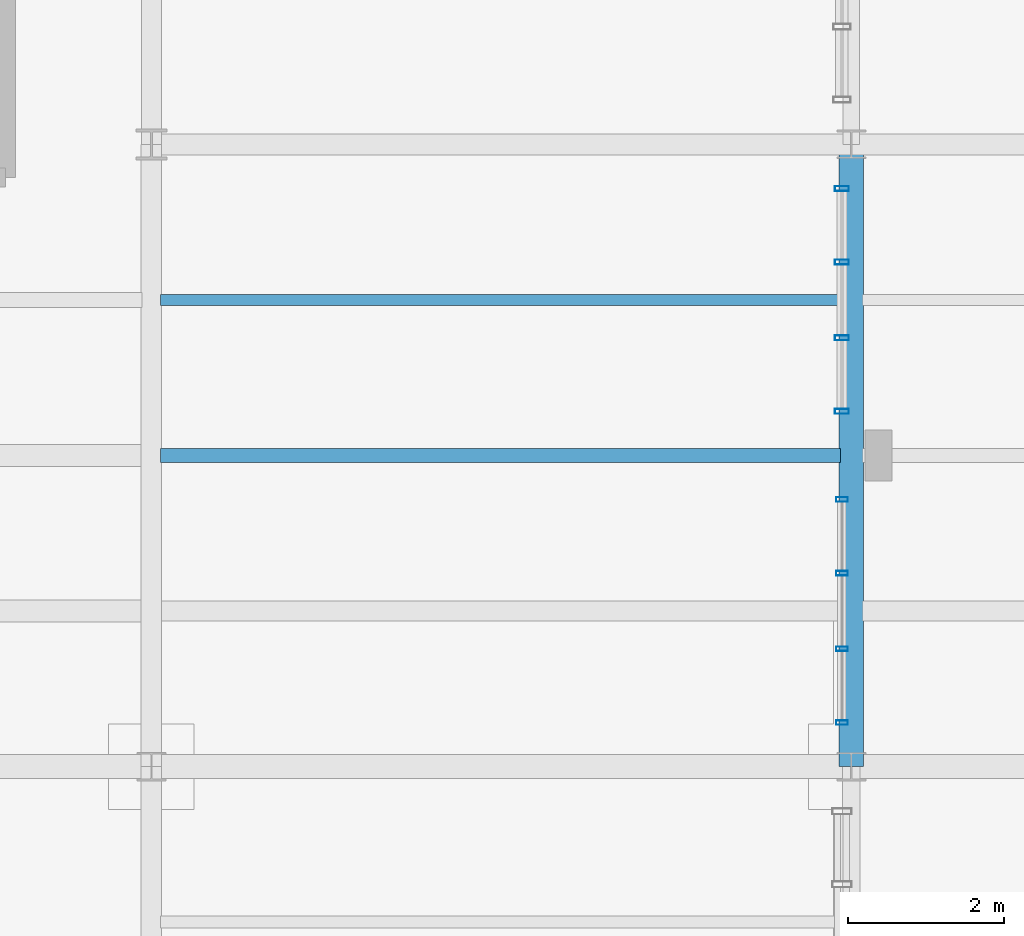
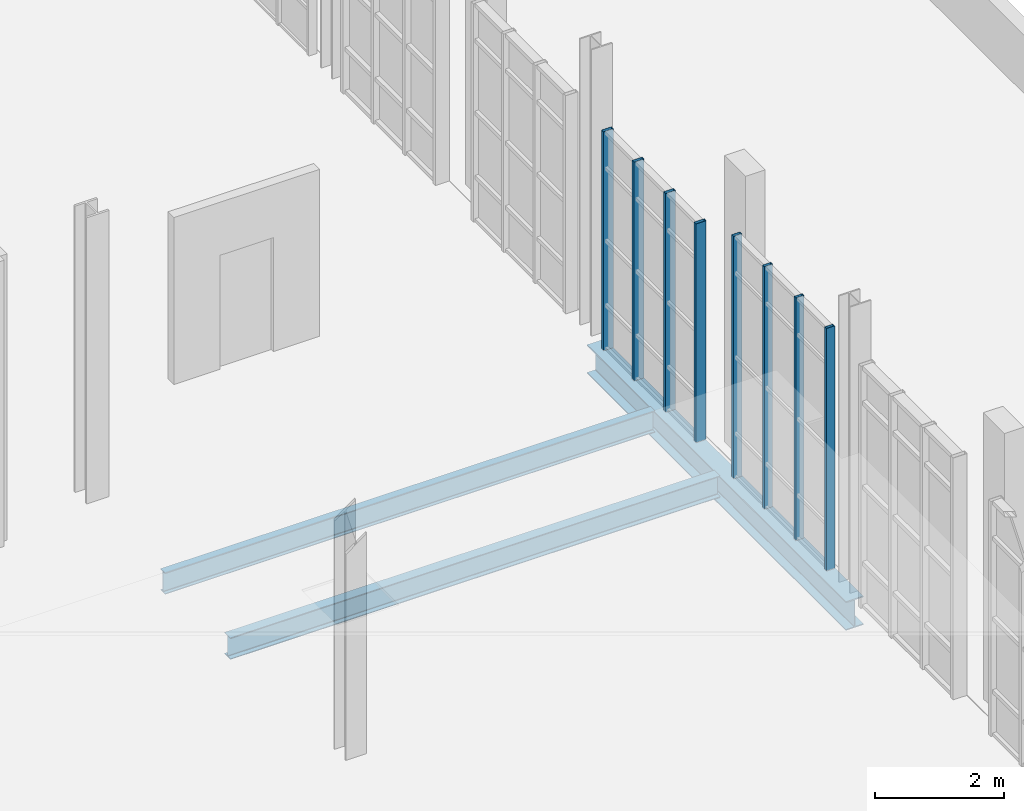
# One storey, part 76 of 142: 8 members, 3 beams, 2 elements without a shape of their own.
"""IFC4 building model written with IfcOpenShell, lengths in metres."""

from ifc_helpers import new_model, si_unit, direction, frame, origin, origin_2d, place, context, subcontext, project, spatial, hollow_rectangle, i_section, extrude, material, layer, layer_set, material_profile, profile_set, type_object, element, aggregate, save


model = new_model("IFC4")

# Units and contexts
model_context = context("Model", 3, precision=1e-05, world=origin(), true_north=direction((0.0, 1.0)))
body_context = subcontext(model_context, "Body", "Model", "MODEL_VIEW")
ifc_project = project(units=[si_unit("LENGTHUNIT", "METRE"), si_unit("AREAUNIT", "SQUARE_METRE"), si_unit("VOLUMEUNIT", "CUBIC_METRE"), si_unit("PLANEANGLEUNIT", "RADIAN"), si_unit("MASSUNIT", "GRAM", prefix="KILO"), si_unit("THERMODYNAMICTEMPERATUREUNIT", "KELVIN"), si_unit("POWERUNIT", "WATT")], contexts=[model_context])

# Site, building, storey
site_placement = place(None, origin())
site = spatial("IfcSite", under=ifc_project, at=site_placement, CompositionType="ELEMENT")
building_placement = place(site_placement, origin())
building = spatial("IfcBuilding", under=site, at=building_placement, Name="Zelmaris Science Centre", CompositionType="ELEMENT")
storey_placement = place(building_placement, frame((0.0, 0.0, 5.39990234375)))
storey = spatial("IfcBuildingStorey", under=building, at=storey_placement, Name="L01", CompositionType="ELEMENT", Elevation=5.39990234375)

# Curtain wall, members
ifc_material_1 = material(Name="Anodised architectural aluminium 6063-T6", Category="aluminium")
ifc_layer_1 = layer(ifc_material_1, 0.219970703125, Name="Anodised architectural aluminium 6063-T6")
ifc_layer_set_1 = layer_set([ifc_layer_1], Name="Anodised architectural aluminium 6063-T6")
curtain_wall_type_1 = type_object("IfcCurtainWallType", Name="Curtain Wall CW-04", PredefinedType="USERDEFINED", material=ifc_layer_set_1)
curtain_wall_1_placement = place(storey_placement, origin())
curtain_wall_1 = element("IfcCurtainWall", 1, at=curtain_wall_1_placement, inside=storey, type_object=curtain_wall_type_1, Name="L01 Unitised curtain wall 156", ObjectType="GLAZED CURTAIN WALL", PredefinedType="USERDEFINED")
ifc_material_profile_1 = material_profile(ifc_material_1, hollow_rectangle(XDim=0.06005859375, YDim=0.14990234375, WallThickness=0.00341796875, at=origin_2d()), Name="ALU-MUL-60X150")
ifc_profile_set_1 = profile_set([ifc_material_profile_1], Name="Anodised architectural aluminium 6063-T6")
member_type_1 = type_object("IfcMemberType", Name="ALU-MUL-60X150", PredefinedType="MULLION", material=ifc_profile_set_1)
member_1_placement = place(storey_placement, frame((143.8798828125, 27.43408203125, -0.014892578125), z_axis=(0.0, 0.0, 1.0), x_axis=(0.0, -1.0, 0.0)))
member_1 = element("IfcMember", 2, at=member_1_placement, type_object=member_type_1, Name="CW-04 mullion 1", PredefinedType="MULLION", context=body_context, shape_type="SweptSolid", body=[
    extrude(hollow_rectangle(XDim=0.06005859375, YDim=0.14990234375, WallThickness=0.00341796875, at=origin_2d()), origin(), (0.0, 0.0, 1.0), 4.575927734375),
])
member_2_placement = place(storey_placement, frame((143.8798828125, 26.486572265625, -0.014892578125), z_axis=(0.0, 0.0, 1.0), x_axis=(0.0, -1.0, 0.0)))
member_2 = element("IfcMember", 3, at=member_2_placement, type_object=member_type_1, Name="CW-04 mullion 2", PredefinedType="MULLION", context=body_context, shape_type="SweptSolid", body=[
    extrude(hollow_rectangle(XDim=0.06005859375, YDim=0.14990234375, WallThickness=0.00341796875, at=origin_2d()), origin(), (0.0, 0.0, 1.0), 4.575927734375),
])
member_3_placement = place(storey_placement, frame((143.8798828125, 25.513427734375, -0.014892578125), z_axis=(0.0, 0.0, 1.0), x_axis=(0.0, -1.0, 0.0)))
member_3 = element("IfcMember", 4, at=member_3_placement, type_object=member_type_1, Name="CW-04 mullion 3", PredefinedType="MULLION", context=body_context, shape_type="SweptSolid", body=[
    extrude(hollow_rectangle(XDim=0.06005859375, YDim=0.14990234375, WallThickness=0.00341796875, at=origin_2d()), origin(), (0.0, 0.0, 1.0), 4.575927734375),
])
member_4_placement = place(storey_placement, frame((143.8798828125, 24.56591796875, -0.014892578125), z_axis=(0.0, 0.0, 1.0), x_axis=(0.0, -1.0, 0.0)))
member_4 = element("IfcMember", 5, at=member_4_placement, type_object=member_type_1, Name="CW-04 mullion 4", PredefinedType="MULLION", context=body_context, shape_type="SweptSolid", body=[
    extrude(hollow_rectangle(XDim=0.06005859375, YDim=0.14990234375, WallThickness=0.00341796875, at=origin_2d()), origin(), (0.0, 0.0, 1.0), 4.575927734375),
])
aggregate(curtain_wall_1, [member_1, member_2, member_3, member_4])

ifc_layer_2 = layer(ifc_material_1, 0.2099609375, Name="Anodised architectural aluminium 6063-T6")
ifc_layer_set_2 = layer_set([ifc_layer_2], Name="Anodised architectural aluminium 6063-T6")
curtain_wall_type_2 = type_object("IfcCurtainWallType", Name="Curtain Wall CW-03", PredefinedType="USERDEFINED", material=ifc_layer_set_2)
curtain_wall_2_placement = place(storey_placement, origin())
curtain_wall_2 = element("IfcCurtainWall", 6, at=curtain_wall_2_placement, inside=storey, type_object=curtain_wall_type_2, Name="L01 Unitised curtain wall 155", ObjectType="GLAZED CURTAIN WALL", PredefinedType="USERDEFINED")
ifc_material_profile_2 = material_profile(ifc_material_1, hollow_rectangle(XDim=0.06494140625, YDim=0.179931640625, WallThickness=0.00390625, at=origin_2d()), Name="ALU-MUL-65X180")
ifc_profile_set_2 = profile_set([ifc_material_profile_2], Name="Anodised architectural aluminium 6063-T6")
member_type_2 = type_object("IfcMemberType", Name="ALU-MUL-65X180", PredefinedType="MULLION", material=ifc_profile_set_2)
member_5_placement = place(storey_placement, frame((143.8798828125, 31.431396484375, -0.014892578125), z_axis=(0.0, 0.0, 1.0), x_axis=(0.0, -1.0, 0.0)))
member_5 = element("IfcMember", 7, at=member_5_placement, type_object=member_type_2, Name="CW-03 mullion 1", PredefinedType="MULLION", context=body_context, shape_type="SweptSolid", body=[
    extrude(hollow_rectangle(XDim=0.06494140625, YDim=0.179931640625, WallThickness=0.00390625, at=origin_2d()), origin(), (0.0, 0.0, 1.0), 4.12890625),
])
member_6_placement = place(storey_placement, frame((143.8798828125, 30.486572265625, -0.014892578125), z_axis=(0.0, 0.0, 1.0), x_axis=(0.0, -1.0, 0.0)))
member_6 = element("IfcMember", 8, at=member_6_placement, type_object=member_type_2, Name="CW-03 mullion 2", PredefinedType="MULLION", context=body_context, shape_type="SweptSolid", body=[
    extrude(hollow_rectangle(XDim=0.06494140625, YDim=0.179931640625, WallThickness=0.00390625, at=origin_2d()), origin(), (0.0, 0.0, 1.0), 4.12890625),
])
member_7_placement = place(storey_placement, frame((143.8798828125, 29.513427734375, -0.014892578125), z_axis=(0.0, 0.0, 1.0), x_axis=(0.0, -1.0, 0.0)))
member_7 = element("IfcMember", 9, at=member_7_placement, type_object=member_type_2, Name="CW-03 mullion 3", PredefinedType="MULLION", context=body_context, shape_type="SweptSolid", body=[
    extrude(hollow_rectangle(XDim=0.06494140625, YDim=0.179931640625, WallThickness=0.00390625, at=origin_2d()), origin(), (0.0, 0.0, 1.0), 4.12890625),
])
member_8_placement = place(storey_placement, frame((143.8798828125, 28.568603515625, -0.014892578125), z_axis=(0.0, 0.0, 1.0), x_axis=(0.0, -1.0, 0.0)))
member_8 = element("IfcMember", 10, at=member_8_placement, type_object=member_type_2, Name="CW-03 mullion 4", PredefinedType="MULLION", context=body_context, shape_type="SweptSolid", body=[
    extrude(hollow_rectangle(XDim=0.06494140625, YDim=0.179931640625, WallThickness=0.00390625, at=origin_2d()), origin(), (0.0, 0.0, 1.0), 4.12890625),
])
aggregate(curtain_wall_2, [member_5, member_6, member_7, member_8])

# Beams
ifc_material_2 = material(Name="Steel ASTM A992 Grade 50", Category="steel")
ifc_material_profile_3 = material_profile(ifc_material_2, i_section(OverallWidth=0.31201171875, OverallDepth=0.5439453125, WebThickness=0.0126953125, FlangeThickness=0.020263671875, FilletRadius=0.013916015625, at=origin_2d()), Name="W21X101")
ifc_profile_set_3 = profile_set([ifc_material_profile_3], Name="Steel ASTM A992 Grade 50")
beam_type_1 = type_object("IfcBeamType", Name="Beam G-18 W21X101", PredefinedType="BEAM", material=ifc_profile_set_3)
beam_1_placement = place(storey_placement, frame((144.0, 24.0, -0.552001953125), z_axis=(0.0, 1.0, 0.0), x_axis=(-1.0, 0.0, 0.0)))
element("IfcBeam", 11, at=beam_1_placement, inside=storey, type_object=beam_type_1, Name="L01 North-south girder 321", PredefinedType="BEAM", context=body_context, shape_type="SweptSolid", body=[
    extrude(i_section(OverallWidth=0.31201171875, OverallDepth=0.5439453125, WebThickness=0.0126953125, FlangeThickness=0.020263671875, FilletRadius=0.013916015625, at=origin_2d()), origin(), (0.0, 0.0, 1.0), 8.0),
])
ifc_material_profile_4 = material_profile(ifc_material_2, i_section(OverallWidth=0.177978515625, OverallDepth=0.408935546875, WebThickness=0.0087890625, FlangeThickness=0.014404296875, FilletRadius=0.011962890625, at=origin_2d()), Name="W16X45")
ifc_profile_set_4 = profile_set([ifc_material_profile_4], Name="Steel ASTM A992 Grade 50")
beam_type_2 = type_object("IfcBeamType", Name="Beam J-07 W16X45", PredefinedType="JOIST", material=ifc_profile_set_4)
beam_2_placement = place(storey_placement, frame((135.118408203125, 28.0, -0.484375), z_axis=(1.0, 0.0, 0.0), x_axis=(0.0, 1.0, 0.0)))
element("IfcBeam", 12, at=beam_2_placement, inside=storey, type_object=beam_type_2, Name="L01 Composite floor joist 204", PredefinedType="JOIST", context=body_context, shape_type="SweptSolid", body=[
    extrude(i_section(OverallWidth=0.177978515625, OverallDepth=0.408935546875, WebThickness=0.0087890625, FlangeThickness=0.014404296875, FilletRadius=0.011962890625, at=origin_2d()), origin(), (0.0, 0.0, 1.0), 8.740478515625),
])
ifc_material_profile_5 = material_profile(ifc_material_2, i_section(OverallWidth=0.139892578125, OverallDepth=0.404052734375, WebThickness=0.007080078125, FlangeThickness=0.01123046875, FilletRadius=0.011962890625, at=origin_2d()), Name="W16X31")
ifc_profile_set_5 = profile_set([ifc_material_profile_5], Name="Steel ASTM A992 Grade 50")
beam_type_3 = type_object("IfcBeamType", Name="Beam J-08 W16X31", PredefinedType="JOIST", material=ifc_profile_set_5)
beam_3_placement = place(storey_placement, frame((135.118408203125, 30.0, -0.48193359375), z_axis=(1.0, 0.0, 0.0), x_axis=(0.0, 1.0, 0.0)))
element("IfcBeam", 13, at=beam_3_placement, inside=storey, type_object=beam_type_3, Name="L01 Composite floor joist 205", PredefinedType="JOIST", context=body_context, shape_type="SweptSolid", body=[
    extrude(i_section(OverallWidth=0.139892578125, OverallDepth=0.404052734375, WebThickness=0.007080078125, FlangeThickness=0.01123046875, FilletRadius=0.011962890625, at=origin_2d()), origin(), (0.0, 0.0, 1.0), 8.740478515625),
])

save(model, "model.ifc")
